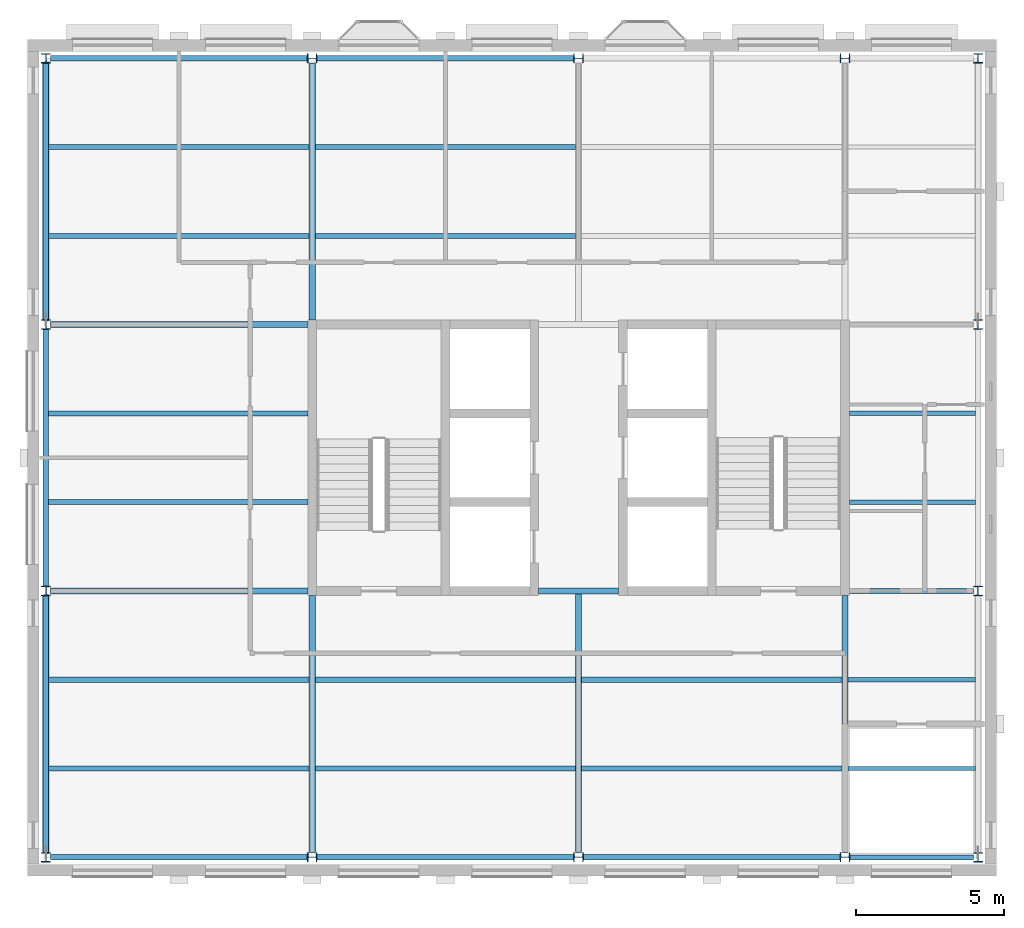
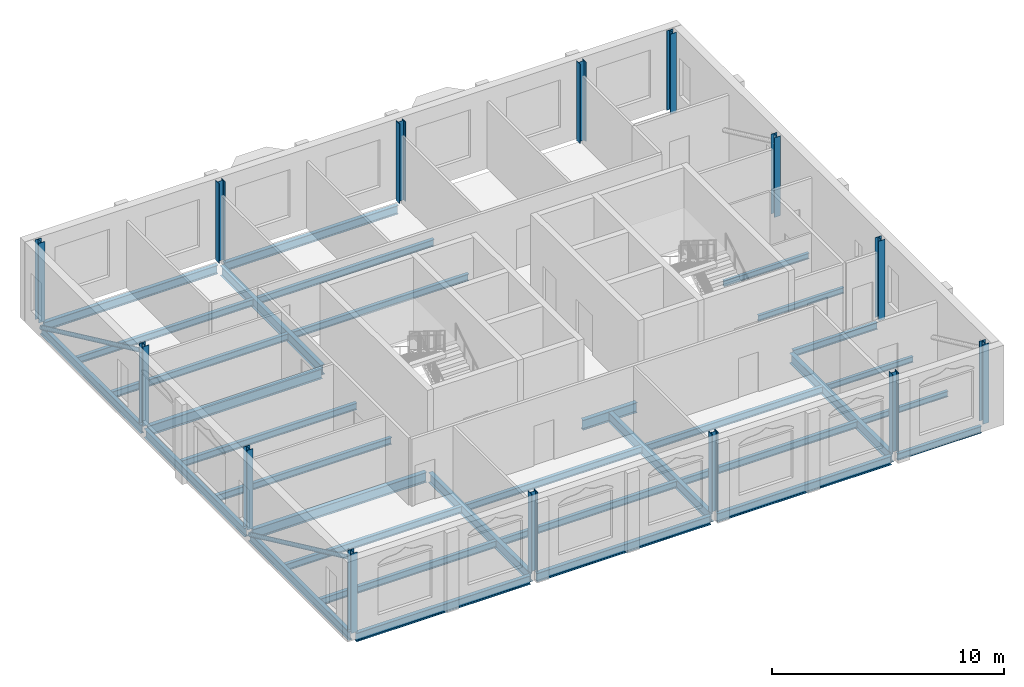
# One storey, part 1 of 9: 33 beams, 14 columns, 2 members.
"""IFC4 building model written with IfcOpenShell, lengths in metres."""

from ifc_helpers import new_model, si_unit, direction, frame, origin, origin_2d, place, context, subcontext, project, spatial, hollow_circle, i_section, extrude, material, material_profile, profile_set, type_object, element, save


model = new_model("IFC4")

# Units and contexts
model_context = context("Model", 3, precision=1e-05, world=origin(), true_north=direction((0.0, 1.0)))
body_context = subcontext(model_context, "Body", "Model", "MODEL_VIEW")
ifc_project = project(units=[si_unit("LENGTHUNIT", "METRE"), si_unit("AREAUNIT", "SQUARE_METRE"), si_unit("VOLUMEUNIT", "CUBIC_METRE"), si_unit("PLANEANGLEUNIT", "RADIAN"), si_unit("MASSUNIT", "GRAM", prefix="KILO")], contexts=[model_context])

# Site, building, storey
site_placement = place(None, origin())
site = spatial("IfcSite", under=ifc_project, at=site_placement, CompositionType="ELEMENT")
building_placement = place(site_placement, origin())
building = spatial("IfcBuilding", under=site, at=building_placement, Name="Hortulan Conservatory and Botanical Research Centre", CompositionType="ELEMENT")
storey_placement = place(building_placement, frame((0.0, 0.0, 52.800048828125)))
storey = spatial("IfcBuildingStorey", under=building, at=storey_placement, Name="L12", CompositionType="ELEMENT", Elevation=52.800048828125)

# Columns
ifc_material_1 = material(Name="Steel Grade 300PLUS (AS/NZS 3679.1, 280 MPa minimum yield)", Category="steel")
ifc_material_profile_1 = material_profile(ifc_material_1, i_section(OverallWidth=0.30908203125, OverallDepth=0.321044921875, WebThickness=0.013916015625, FlangeThickness=0.021728515625, FilletRadius=0.0166015625, at=origin_2d()), Name="310UC137")
ifc_profile_set_1 = profile_set([ifc_material_profile_1], Name="Steel Grade 300PLUS (AS/NZS 3679.1, 280 MPa minimum yield)")
column_type = type_object("IfcColumnType", Name="Tower Column 310UC137", PredefinedType="COLUMN", material=ifc_profile_set_1)
for number, where, z_axis, x_axis, name in (
    (1, (0.0, 0.0, 0.0), (0.0, 0.0, 1.0), (1.0, 0.0, 0.0), "310UC137 column"),
    (2, (0.0, 9.0, 0.0), (0.0, 0.0, 1.0), (1.0, 0.0, 0.0), "310UC137 column"),
    (3, (0.0, 18.0, 0.0), (0.0, 0.0, 1.0), (1.0, 0.0, 0.0), "310UC137 column"),
    (4, (0.0, 27.0, 0.0), (0.0, 0.0, 1.0), (1.0, 0.0, 0.0), "310UC137 column"),
    (5, (9.0, 0.0, 0.0), (0.0, 0.0, 1.0), (0.0, 1.0, 0.0), "310UC137 column"),
    (6, (9.0, 27.0, 0.0), (0.0, 0.0, 1.0), (0.0, 1.0, 0.0), "310UC137 column"),
    (7, (18.0, 0.0, 0.0), (0.0, 0.0, 1.0), (0.0, 1.0, 0.0), "310UC137 column"),
    (8, (18.0, 27.0, 0.0), (0.0, 0.0, 1.0), (0.0, 1.0, 0.0), "310UC137 column"),
    (9, (27.0, 0.0, 0.0), (0.0, 0.0, 1.0), (0.0, 1.0, 0.0), "310UC137 column"),
    (10, (27.0, 27.0, 0.0), (0.0, 0.0, 1.0), (0.0, 1.0, 0.0), "310UC137 column"),
    (11, (31.5, 0.0, 0.0), (0.0, 0.0, 1.0), (1.0, 0.0, 0.0), "310UC137 column"),
    (12, (31.5, 9.0, 0.0), (0.0, 0.0, 1.0), (1.0, 0.0, 0.0), "310UC137 column"),
    (13, (31.5, 18.0, 0.0), (0.0, 0.0, 1.0), (1.0, 0.0, 0.0), "310UC137 column"),
    (14, (31.5, 27.0, 0.0), (0.0, 0.0, 1.0), (1.0, 0.0, 0.0), "310UC137 column"),
):
    element("IfcColumn", number, at=place(storey_placement, frame(where, z_axis=z_axis, x_axis=x_axis)), inside=storey, type_object=column_type, Name=name, PredefinedType="COLUMN", context=body_context, shape_type="SweptSolid", body=[
        extrude(i_section(OverallWidth=0.30908203125, OverallDepth=0.321044921875, WebThickness=0.013916015625, FlangeThickness=0.021728515625, FilletRadius=0.0166015625, at=origin_2d()), origin(), (0.0, 0.0, 1.0), 4.199951171875),
    ])

# Members
ifc_material_2 = material(Name="Steel Grade C350L0 (350 MPa, AS/NZS 1163)", Category="steel")
ifc_material_profile_2 = material_profile(ifc_material_2, hollow_circle(Radius=0.109619140625, WallThickness=0.00830078125, at=origin_2d()), Name="219.1x8.2CHS")
ifc_profile_set_2 = profile_set([ifc_material_profile_2], Name="Steel Grade C350L0 (350 MPa, AS/NZS 1163)")
member_type = type_object("IfcMemberType", Name="Brace 219.1x8.2CHS", PredefinedType="BRACE", material=ifc_profile_set_2)
for number, where, z_axis, x_axis, name in (
    (15, (0.0, 8.839599609375, -0.28369140625), (0.0, -0.906183139995, 0.422885465331), (1.0, 0.0, 0.0), "219.1x8.2CHS brace"),
    (16, (0.0, 26.839599609375, -0.28369140625), (0.0, -0.906183139995, 0.422885465331), (1.0, 0.0, 0.0), "219.1x8.2CHS brace"),
):
    element("IfcMember", number, at=place(storey_placement, frame(where, z_axis=z_axis, x_axis=x_axis)), inside=storey, type_object=member_type, Name=name, PredefinedType="BRACE", context=body_context, shape_type="SweptSolid", body=[
        extrude(hollow_circle(Radius=0.109619140625, WallThickness=0.00830078125, at=origin_2d()), origin(), (0.0, 0.0, 1.0), 9.57763671875),
    ])

# Beams
ifc_material_profile_3 = material_profile(ifc_material_1, i_section(OverallWidth=0.1708984375, OverallDepth=0.35595703125, WebThickness=0.00732421875, FlangeThickness=0.011474609375, FilletRadius=0.011474609375, at=origin_2d()), Name="360UB50.7")
ifc_profile_set_3 = profile_set([ifc_material_profile_3], Name="Steel Grade 300PLUS (AS/NZS 3679.1, 280 MPa minimum yield)")
beam_type_1 = type_object("IfcBeamType", Name="Primary Beam 360UB50.7", PredefinedType="BEAM", material=ifc_profile_set_3)
beam_1_placement = place(storey_placement, frame((27.160400390625, 0.0, -0.30810546875), z_axis=(1.0, 0.0, 0.0), x_axis=(0.0, 1.0, 0.0)))
element("IfcBeam", 17, at=beam_1_placement, inside=storey, type_object=beam_type_1, Name="360UB50.7 girder", PredefinedType="BEAM", context=body_context, shape_type="SweptSolid", body=[
    extrude(i_section(OverallWidth=0.1708984375, OverallDepth=0.35595703125, WebThickness=0.00732421875, FlangeThickness=0.011474609375, FilletRadius=0.011474609375, at=origin_2d()), origin(), (0.0, 0.0, 1.0), 4.18505859375),
])
beam_2_placement = place(storey_placement, frame((27.14990234375, 9.0, -0.30810546875), z_axis=(1.0, 0.0, 0.0), x_axis=(0.0, 1.0, 0.0)))
element("IfcBeam", 18, at=beam_2_placement, inside=storey, type_object=beam_type_1, Name="360UB50.7 girder", PredefinedType="BEAM", context=body_context, shape_type="SweptSolid", body=[
    extrude(i_section(OverallWidth=0.1708984375, OverallDepth=0.35595703125, WebThickness=0.00732421875, FlangeThickness=0.011474609375, FilletRadius=0.011474609375, at=origin_2d()), origin(), (0.0, 0.0, 1.0), 4.195556640625),
])
ifc_material_profile_4 = material_profile(ifc_material_1, i_section(OverallWidth=0.18994140625, OverallDepth=0.45703125, WebThickness=0.009033203125, FlangeThickness=0.014404296875, FilletRadius=0.011474609375, at=origin_2d()), Name="460UB74.6")
ifc_profile_set_4 = profile_set([ifc_material_profile_4], Name="Steel Grade 300PLUS (AS/NZS 3679.1, 280 MPa minimum yield)")
beam_type_2 = type_object("IfcBeamType", Name="Primary Beam 460UB74.6", PredefinedType="BEAM", material=ifc_profile_set_4)
beam_3_placement = place(storey_placement, frame((0.0, 0.160400390625, -0.358642578125), z_axis=(0.0, 1.0, 0.0), x_axis=(-1.0, 0.0, 0.0)))
element("IfcBeam", 19, at=beam_3_placement, inside=storey, type_object=beam_type_2, Name="460UB74.6 girder", PredefinedType="BEAM", context=body_context, shape_type="SweptSolid", body=[
    extrude(i_section(OverallWidth=0.18994140625, OverallDepth=0.45703125, WebThickness=0.009033203125, FlangeThickness=0.014404296875, FilletRadius=0.011474609375, at=origin_2d()), origin(), (0.0, 0.0, 1.0), 8.67919921875),
])
beam_4_placement = place(storey_placement, frame((0.154541015625, 0.0, -0.358642578125), z_axis=(1.0, 0.0, 0.0), x_axis=(0.0, 1.0, 0.0)))
element("IfcBeam", 20, at=beam_4_placement, inside=storey, type_object=beam_type_2, Name="460UB74.6 girder", PredefinedType="BEAM", context=body_context, shape_type="SweptSolid", body=[
    extrude(i_section(OverallWidth=0.18994140625, OverallDepth=0.45703125, WebThickness=0.009033203125, FlangeThickness=0.014404296875, FilletRadius=0.011474609375, at=origin_2d()), origin(), (0.0, 0.0, 1.0), 8.68505859375),
])
for number, where, z_axis, x_axis, name in (
    (21, (0.0, 9.160400390625, -0.358642578125), (0.0, 1.0, 0.0), (-1.0, 0.0, 0.0), "460UB74.6 girder"),
    (22, (0.0, 18.160400390625, -0.358642578125), (0.0, 1.0, 0.0), (-1.0, 0.0, 0.0), "460UB74.6 girder"),
):
    element("IfcBeam", number, at=place(storey_placement, frame(where, z_axis=z_axis, x_axis=x_axis)), inside=storey, type_object=beam_type_2, Name=name, PredefinedType="BEAM", context=body_context, shape_type="SweptSolid", body=[
        extrude(i_section(OverallWidth=0.18994140625, OverallDepth=0.45703125, WebThickness=0.009033203125, FlangeThickness=0.014404296875, FilletRadius=0.011474609375, at=origin_2d()), origin(), (0.0, 0.0, 1.0), 8.67919921875),
    ])
beam_5_placement = place(storey_placement, frame((0.154541015625, 27.0, -0.358642578125), z_axis=(1.0, 0.0, 0.0), x_axis=(0.0, 1.0, 0.0)))
element("IfcBeam", 23, at=beam_5_placement, inside=storey, type_object=beam_type_2, Name="460UB74.6 girder", PredefinedType="BEAM", context=body_context, shape_type="SweptSolid", body=[
    extrude(i_section(OverallWidth=0.18994140625, OverallDepth=0.45703125, WebThickness=0.009033203125, FlangeThickness=0.014404296875, FilletRadius=0.011474609375, at=origin_2d()), origin(), (0.0, 0.0, 1.0), 8.68505859375),
])
for number, where, z_axis, x_axis, name in (
    (24, (9.160400390625, 0.0, -0.358642578125), (1.0, 0.0, 0.0), (0.0, 1.0, 0.0), "460UB74.6 girder"),
    (25, (9.160400390625, 27.0, -0.358642578125), (1.0, 0.0, 0.0), (0.0, 1.0, 0.0), "460UB74.6 girder"),
    (26, (18.160400390625, 0.0, -0.358642578125), (1.0, 0.0, 0.0), (0.0, 1.0, 0.0), "460UB74.6 girder"),
):
    element("IfcBeam", number, at=place(storey_placement, frame(where, z_axis=z_axis, x_axis=x_axis)), inside=storey, type_object=beam_type_2, Name=name, PredefinedType="BEAM", context=body_context, shape_type="SweptSolid", body=[
        extrude(i_section(OverallWidth=0.18994140625, OverallDepth=0.45703125, WebThickness=0.009033203125, FlangeThickness=0.014404296875, FilletRadius=0.011474609375, at=origin_2d()), origin(), (0.0, 0.0, 1.0), 8.67919921875),
    ])
ifc_material_profile_5 = material_profile(ifc_material_1, i_section(OverallWidth=0.208984375, OverallDepth=0.528076171875, WebThickness=0.009521484375, FlangeThickness=0.01318359375, FilletRadius=0.013916015625, at=origin_2d()), Name="530UB82.0")
ifc_profile_set_5 = profile_set([ifc_material_profile_5], Name="Steel Grade 300PLUS (AS/NZS 3679.1, 280 MPa minimum yield)")
beam_type_3 = type_object("IfcBeamType", Name="Primary Beam 530UB82.0", PredefinedType="BEAM", material=ifc_profile_set_5)
for number, where, z_axis, x_axis, name in (
    (27, (0.154541015625, 9.0, -0.39404296875), (1.0, 0.0, 0.0), (0.0, 1.0, 0.0), "530UB82.0 girder"),
    (28, (0.154541015625, 18.0, -0.39404296875), (1.0, 0.0, 0.0), (0.0, 1.0, 0.0), "530UB82.0 girder"),
    (29, (9.0, 0.154541015625, -0.39404296875), (0.0, 1.0, 0.0), (-1.0, 0.0, 0.0), "530UB82.0 girder"),
    (30, (9.0, 18.14990234375, -0.39404296875), (0.0, 1.0, 0.0), (-1.0, 0.0, 0.0), "530UB82.0 girder"),
):
    element("IfcBeam", number, at=place(storey_placement, frame(where, z_axis=z_axis, x_axis=x_axis)), inside=storey, type_object=beam_type_3, Name=name, PredefinedType="BEAM", context=body_context, shape_type="SweptSolid", body=[
        extrude(i_section(OverallWidth=0.208984375, OverallDepth=0.528076171875, WebThickness=0.009521484375, FlangeThickness=0.01318359375, FilletRadius=0.013916015625, at=origin_2d()), origin(), (0.0, 0.0, 1.0), 8.695556640625),
    ])
beam_6_placement = place(storey_placement, frame((16.64990234375, 9.0, -0.39404296875), z_axis=(1.0, 0.0, 0.0), x_axis=(0.0, 1.0, 0.0)))
element("IfcBeam", 31, at=beam_6_placement, inside=storey, type_object=beam_type_3, Name="530UB82.0 girder", PredefinedType="BEAM", context=body_context, shape_type="SweptSolid", body=[
    extrude(i_section(OverallWidth=0.208984375, OverallDepth=0.528076171875, WebThickness=0.009521484375, FlangeThickness=0.01318359375, FilletRadius=0.013916015625, at=origin_2d()), origin(), (0.0, 0.0, 1.0), 2.7001953125),
])
beam_7_placement = place(storey_placement, frame((18.0, 0.154541015625, -0.39404296875), z_axis=(0.0, 1.0, 0.0), x_axis=(-1.0, 0.0, 0.0)))
element("IfcBeam", 32, at=beam_7_placement, inside=storey, type_object=beam_type_3, Name="530UB82.0 girder", PredefinedType="BEAM", context=body_context, shape_type="SweptSolid", body=[
    extrude(i_section(OverallWidth=0.208984375, OverallDepth=0.528076171875, WebThickness=0.009521484375, FlangeThickness=0.01318359375, FilletRadius=0.013916015625, at=origin_2d()), origin(), (0.0, 0.0, 1.0), 8.845458984375),
])
beam_8_placement = place(storey_placement, frame((27.0, 0.154541015625, -0.39404296875), z_axis=(0.0, 1.0, 0.0), x_axis=(-1.0, 0.0, 0.0)))
element("IfcBeam", 33, at=beam_8_placement, inside=storey, type_object=beam_type_3, Name="530UB82.0 girder", PredefinedType="BEAM", context=body_context, shape_type="SweptSolid", body=[
    extrude(i_section(OverallWidth=0.208984375, OverallDepth=0.528076171875, WebThickness=0.009521484375, FlangeThickness=0.01318359375, FilletRadius=0.013916015625, at=origin_2d()), origin(), (0.0, 0.0, 1.0), 8.695556640625),
])
ifc_material_profile_6 = material_profile(ifc_material_1, i_section(OverallWidth=0.14892578125, OverallDepth=0.298095703125, WebThickness=0.005615234375, FlangeThickness=0.008056640625, FilletRadius=0.012939453125, at=origin_2d()), Name="310UB32.0")
ifc_profile_set_6 = profile_set([ifc_material_profile_6], Name="Steel Grade 300PLUS (AS/NZS 3679.1, 280 MPa minimum yield)")
beam_type_4 = type_object("IfcBeamType", Name="Secondary Beam 310UB32.0", PredefinedType="JOIST", material=ifc_profile_set_6)
for number, where, z_axis, x_axis, name in (
    (34, (27.1044921875, 3.0, -0.279052734375), (1.0, 0.0, 0.0), (0.0, 1.0, 0.0), "310UB32.0 secondary beam"),
    (35, (27.1044921875, 6.0, -0.279052734375), (1.0, 0.0, 0.0), (0.0, 1.0, 0.0), "310UB32.0 secondary beam"),
):
    element("IfcBeam", number, at=place(storey_placement, frame(where, z_axis=z_axis, x_axis=x_axis)), inside=storey, type_object=beam_type_4, Name=name, PredefinedType="JOIST", context=body_context, shape_type="SweptSolid", body=[
        extrude(i_section(OverallWidth=0.14892578125, OverallDepth=0.298095703125, WebThickness=0.005615234375, FlangeThickness=0.008056640625, FilletRadius=0.012939453125, at=origin_2d()), origin(), (0.0, 0.0, 1.0), 4.300537109375),
    ])
for number, where, z_axis, x_axis, name in (
    (36, (27.14990234375, 12.0, -0.279052734375), (1.0, 0.0, 0.0), (0.0, 1.0, 0.0), "310UB32.0 secondary beam"),
    (37, (27.14990234375, 15.0, -0.279052734375), (1.0, 0.0, 0.0), (0.0, 1.0, 0.0), "310UB32.0 secondary beam"),
):
    element("IfcBeam", number, at=place(storey_placement, frame(where, z_axis=z_axis, x_axis=x_axis)), inside=storey, type_object=beam_type_4, Name=name, PredefinedType="JOIST", context=body_context, shape_type="SweptSolid", body=[
        extrude(i_section(OverallWidth=0.14892578125, OverallDepth=0.298095703125, WebThickness=0.005615234375, FlangeThickness=0.008056640625, FilletRadius=0.012939453125, at=origin_2d()), origin(), (0.0, 0.0, 1.0), 4.255126953125),
    ])
ifc_material_profile_7 = material_profile(ifc_material_1, i_section(OverallWidth=0.1708984375, OverallDepth=0.35595703125, WebThickness=0.00732421875, FlangeThickness=0.011474609375, FilletRadius=0.011474609375, at=origin_2d()), Name="360UB50.7")
ifc_profile_set_7 = profile_set([ifc_material_profile_7], Name="Steel Grade 300PLUS (AS/NZS 3679.1, 280 MPa minimum yield)")
beam_type_5 = type_object("IfcBeamType", Name="Secondary Beam 360UB50.7", PredefinedType="JOIST", material=ifc_profile_set_7)
for number, where, z_axis, x_axis, name in (
    (38, (0.094970703125, 3.0, -0.30810546875), (1.0, 0.0, 0.0), (0.0, 1.0, 0.0), "360UB50.7 secondary beam"),
    (39, (0.094970703125, 6.0, -0.30810546875), (1.0, 0.0, 0.0), (0.0, 1.0, 0.0), "360UB50.7 secondary beam"),
):
    element("IfcBeam", number, at=place(storey_placement, frame(where, z_axis=z_axis, x_axis=x_axis)), inside=storey, type_object=beam_type_5, Name=name, PredefinedType="JOIST", context=body_context, shape_type="SweptSolid", body=[
        extrude(i_section(OverallWidth=0.1708984375, OverallDepth=0.35595703125, WebThickness=0.00732421875, FlangeThickness=0.011474609375, FilletRadius=0.011474609375, at=origin_2d()), origin(), (0.0, 0.0, 1.0), 8.800537109375),
    ])
for number, where, z_axis, x_axis, name in (
    (40, (0.094970703125, 12.0, -0.30810546875), (1.0, 0.0, 0.0), (0.0, 1.0, 0.0), "360UB50.7 secondary beam"),
    (41, (0.094970703125, 15.0, -0.30810546875), (1.0, 0.0, 0.0), (0.0, 1.0, 0.0), "360UB50.7 secondary beam"),
):
    element("IfcBeam", number, at=place(storey_placement, frame(where, z_axis=z_axis, x_axis=x_axis)), inside=storey, type_object=beam_type_5, Name=name, PredefinedType="JOIST", context=body_context, shape_type="SweptSolid", body=[
        extrude(i_section(OverallWidth=0.1708984375, OverallDepth=0.35595703125, WebThickness=0.00732421875, FlangeThickness=0.011474609375, FilletRadius=0.011474609375, at=origin_2d()), origin(), (0.0, 0.0, 1.0), 8.755126953125),
    ])
for number, where, z_axis, x_axis, name in (
    (42, (0.094970703125, 21.0, -0.30810546875), (1.0, 0.0, 0.0), (0.0, 1.0, 0.0), "360UB50.7 secondary beam"),
    (43, (0.094970703125, 24.0, -0.30810546875), (1.0, 0.0, 0.0), (0.0, 1.0, 0.0), "360UB50.7 secondary beam"),
):
    element("IfcBeam", number, at=place(storey_placement, frame(where, z_axis=z_axis, x_axis=x_axis)), inside=storey, type_object=beam_type_5, Name=name, PredefinedType="JOIST", context=body_context, shape_type="SweptSolid", body=[
        extrude(i_section(OverallWidth=0.1708984375, OverallDepth=0.35595703125, WebThickness=0.00732421875, FlangeThickness=0.011474609375, FilletRadius=0.011474609375, at=origin_2d()), origin(), (0.0, 0.0, 1.0), 8.800537109375),
    ])
for number, where, z_axis, x_axis, name in (
    (44, (9.1044921875, 3.0, -0.30810546875), (1.0, 0.0, 0.0), (0.0, 1.0, 0.0), "360UB50.7 secondary beam"),
    (45, (9.1044921875, 6.0, -0.30810546875), (1.0, 0.0, 0.0), (0.0, 1.0, 0.0), "360UB50.7 secondary beam"),
    (46, (9.1044921875, 21.0, -0.30810546875), (1.0, 0.0, 0.0), (0.0, 1.0, 0.0), "360UB50.7 secondary beam"),
    (47, (9.1044921875, 24.0, -0.30810546875), (1.0, 0.0, 0.0), (0.0, 1.0, 0.0), "360UB50.7 secondary beam"),
    (48, (18.1044921875, 3.0, -0.30810546875), (1.0, 0.0, 0.0), (0.0, 1.0, 0.0), "360UB50.7 secondary beam"),
    (49, (18.1044921875, 6.0, -0.30810546875), (1.0, 0.0, 0.0), (0.0, 1.0, 0.0), "360UB50.7 secondary beam"),
):
    element("IfcBeam", number, at=place(storey_placement, frame(where, z_axis=z_axis, x_axis=x_axis)), inside=storey, type_object=beam_type_5, Name=name, PredefinedType="JOIST", context=body_context, shape_type="SweptSolid", body=[
        extrude(i_section(OverallWidth=0.1708984375, OverallDepth=0.35595703125, WebThickness=0.00732421875, FlangeThickness=0.011474609375, FilletRadius=0.011474609375, at=origin_2d()), origin(), (0.0, 0.0, 1.0), 8.791015625),
    ])

save(model, "model.ifc")
